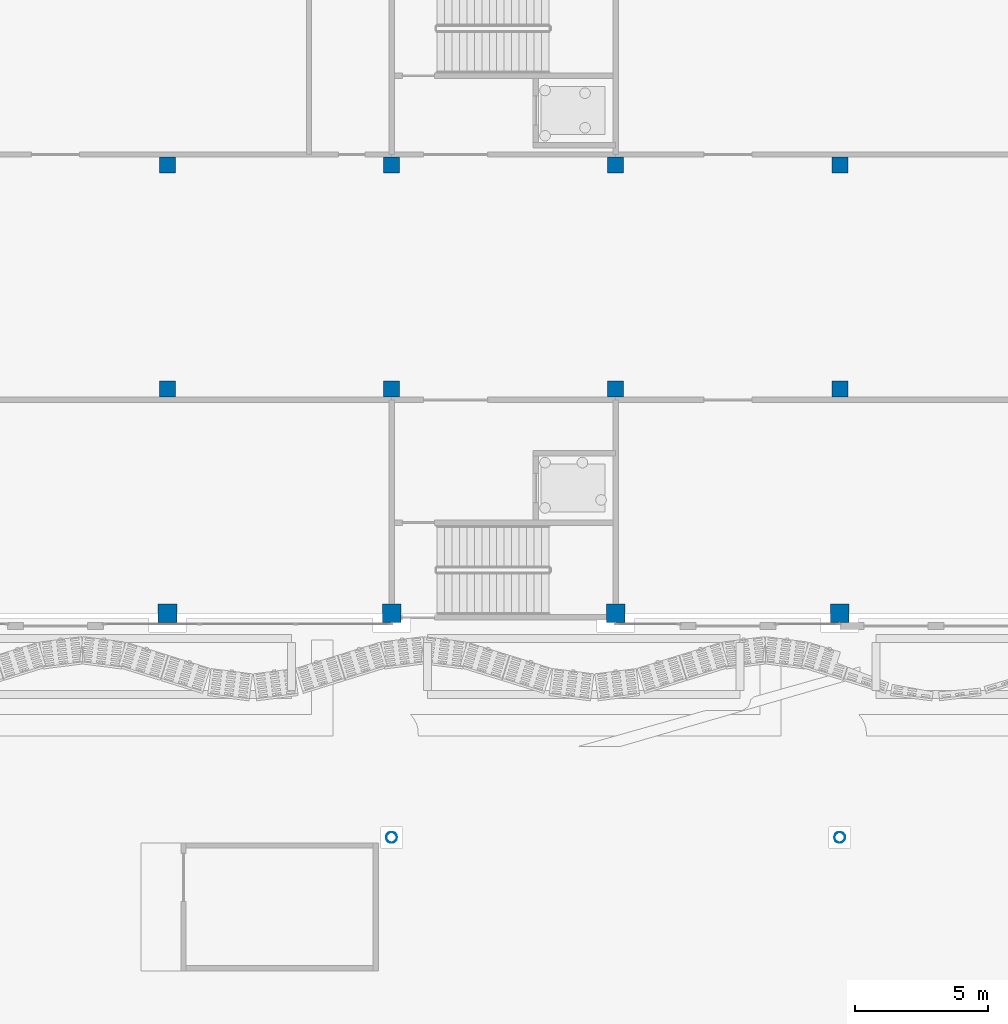
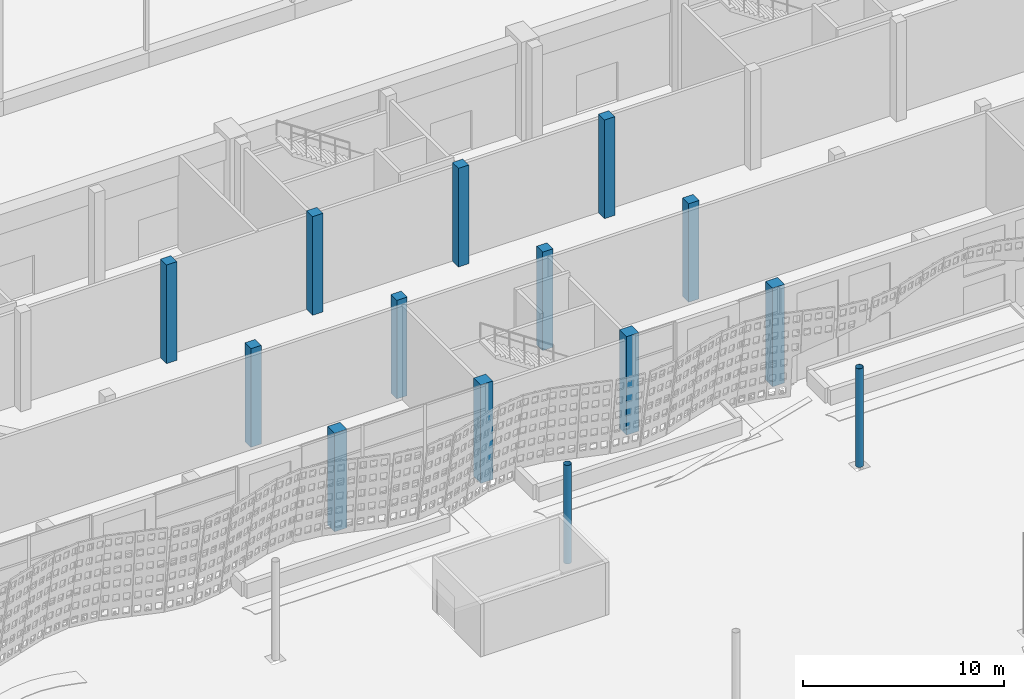
# One storey, part 11 of 210: 14 columns.
"""IFC4 building model written with IfcOpenShell, lengths in metres."""

from ifc_helpers import new_model, si_unit, direction, frame, origin, origin_2d, place, context, subcontext, project, spatial, rectangle, hollow_circle, extrude, material, material_profile, profile_set, type_object, element, save


model = new_model("IFC4")

# Units and contexts
model_context = context("Model", 3, precision=1e-05, world=origin(), true_north=direction((0.0, 1.0)))
body_context = subcontext(model_context, "Body", "Model", "MODEL_VIEW")
ifc_project = project(units=[si_unit("LENGTHUNIT", "METRE"), si_unit("AREAUNIT", "SQUARE_METRE"), si_unit("VOLUMEUNIT", "CUBIC_METRE"), si_unit("PLANEANGLEUNIT", "RADIAN"), si_unit("MASSUNIT", "GRAM", prefix="KILO")], contexts=[model_context])

# Site, building, storey
site_placement = place(None, origin())
site = spatial("IfcSite", under=ifc_project, at=site_placement, CompositionType="ELEMENT")
building_placement = place(site_placement, origin())
building = spatial("IfcBuilding", under=site, at=building_placement, Name="Rain Tree Exposition and Congress Centre", CompositionType="ELEMENT")
storey_placement = place(building_placement, origin())
storey = spatial("IfcBuildingStorey", under=building, at=storey_placement, Name="L00", CompositionType="ELEMENT", Elevation=0.0)

# Columns
ifc_material_1 = material(Name="Precast concrete C50/60", Category="concrete")
ifc_material_profile_1 = material_profile(ifc_material_1, rectangle(XDim=0.60009765625, YDim=0.60009765625, at=origin_2d()), Name="RC 600x600")
ifc_profile_set_1 = profile_set([ifc_material_profile_1], Name="Precast concrete C50/60")
column_type_1 = type_object("IfcColumnType", Name="Precast column 600x600", PredefinedType="COLUMN", material=ifc_profile_set_1)
for number, where, z_axis, x_axis, name in (
    (1, (67.199951171875, 84.0, 0.0), (0.0, 0.0, 1.0), (1.0, 0.0, 0.0), "Concourse column L00 B9"),
    (2, (75.60009765625, 84.0, 0.0), (0.0, 0.0, 1.0), (1.0, 0.0, 0.0), "Concourse column L00 B10"),
    (3, (84.0, 84.0, 0.0), (0.0, 0.0, 1.0), (1.0, 0.0, 0.0), "Concourse column L00 B11"),
    (4, (92.39990234375, 84.0, 0.0), (0.0, 0.0, 1.0), (1.0, 0.0, 0.0), "Concourse column L00 B12"),
    (5, (67.199951171875, 92.39990234375, 0.0), (0.0, 0.0, 1.0), (1.0, 0.0, 0.0), "Concourse column L00 C9"),
    (6, (75.60009765625, 92.39990234375, 0.0), (0.0, 0.0, 1.0), (1.0, 0.0, 0.0), "Concourse column L00 C10"),
    (7, (84.0, 92.39990234375, 0.0), (0.0, 0.0, 1.0), (1.0, 0.0, 0.0), "Concourse column L00 C11"),
    (8, (92.39990234375, 92.39990234375, 0.0), (0.0, 0.0, 1.0), (1.0, 0.0, 0.0), "Concourse column L00 C12"),
):
    element("IfcColumn", number, at=place(storey_placement, frame(where, z_axis=z_axis, x_axis=x_axis)), inside=storey, type_object=column_type_1, Name=name, PredefinedType="COLUMN", context=body_context, shape_type="SweptSolid", body=[
        extrude(rectangle(XDim=0.60009765625, YDim=0.60009765625, at=origin_2d()), origin(), (0.0, 0.0, 1.0), 6.0),
    ])
ifc_material_2 = material(Name="Precast concrete C50/60", Category="concrete")
ifc_material_profile_2 = material_profile(ifc_material_2, rectangle(XDim=0.699951171875, YDim=0.699951171875, at=origin_2d()), Name="RC 700x700")
ifc_profile_set_2 = profile_set([ifc_material_profile_2], Name="Precast concrete C50/60")
column_type_2 = type_object("IfcColumnType", Name="Precast column 700x700", PredefinedType="COLUMN", material=ifc_profile_set_2)
for number, where, z_axis, x_axis, name in (
    (9, (67.199951171875, 75.60009765625, 0.0), (0.0, 0.0, 1.0), (1.0, 0.0, 0.0), "Concourse column L00 A9"),
    (10, (75.60009765625, 75.60009765625, 0.0), (0.0, 0.0, 1.0), (1.0, 0.0, 0.0), "Concourse column L00 A10"),
    (11, (84.0, 75.60009765625, 0.0), (0.0, 0.0, 1.0), (1.0, 0.0, 0.0), "Concourse column L00 A11"),
    (12, (92.39990234375, 75.60009765625, 0.0), (0.0, 0.0, 1.0), (1.0, 0.0, 0.0), "Concourse column L00 A12"),
):
    element("IfcColumn", number, at=place(storey_placement, frame(where, z_axis=z_axis, x_axis=x_axis)), inside=storey, type_object=column_type_2, Name=name, PredefinedType="COLUMN", context=body_context, shape_type="SweptSolid", body=[
        extrude(rectangle(XDim=0.699951171875, YDim=0.699951171875, at=origin_2d()), origin(), (0.0, 0.0, 1.0), 6.0),
    ])
ifc_material_3 = material(Name="Steel S355J2H", Category="steel")
ifc_material_profile_3 = material_profile(ifc_material_3, hollow_circle(Radius=0.203125, WallThickness=0.009033203125, at=origin_2d()), Name="CHS 406.4x9")
ifc_profile_set_3 = profile_set([ifc_material_profile_3], Name="Steel S355J2H")
column_type_3 = type_object("IfcColumnType", Name="Steel column CHS 406.4x9", PredefinedType="COLUMN", material=ifc_profile_set_3)
for number, where, z_axis, x_axis, name in (
    (13, (75.60009765625, 67.199951171875, 0.0), (0.0, 0.0, 1.0), (1.0, 0.0, 0.0), "Rain tree column 4"),
    (14, (92.39990234375, 67.199951171875, 0.0), (0.0, 0.0, 1.0), (1.0, 0.0, 0.0), "Rain tree column 6"),
):
    element("IfcColumn", number, at=place(storey_placement, frame(where, z_axis=z_axis, x_axis=x_axis)), inside=storey, type_object=column_type_3, Name=name, PredefinedType="COLUMN", context=body_context, shape_type="SweptSolid", body=[
        extrude(hollow_circle(Radius=0.203125, WallThickness=0.009033203125, at=origin_2d()), origin(), (0.0, 0.0, 1.0), 6.0),
    ])

save(model, "model.ifc")
